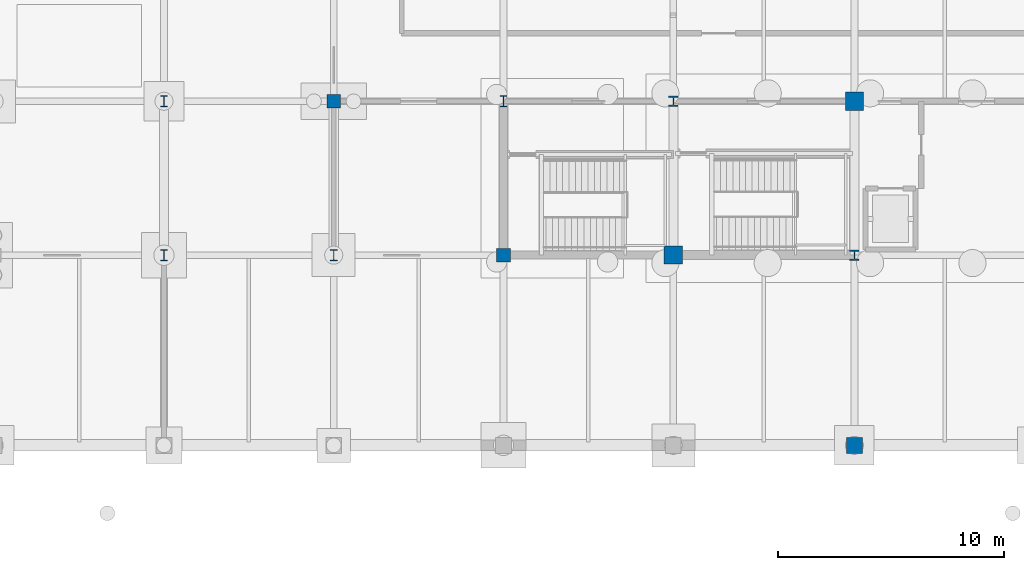
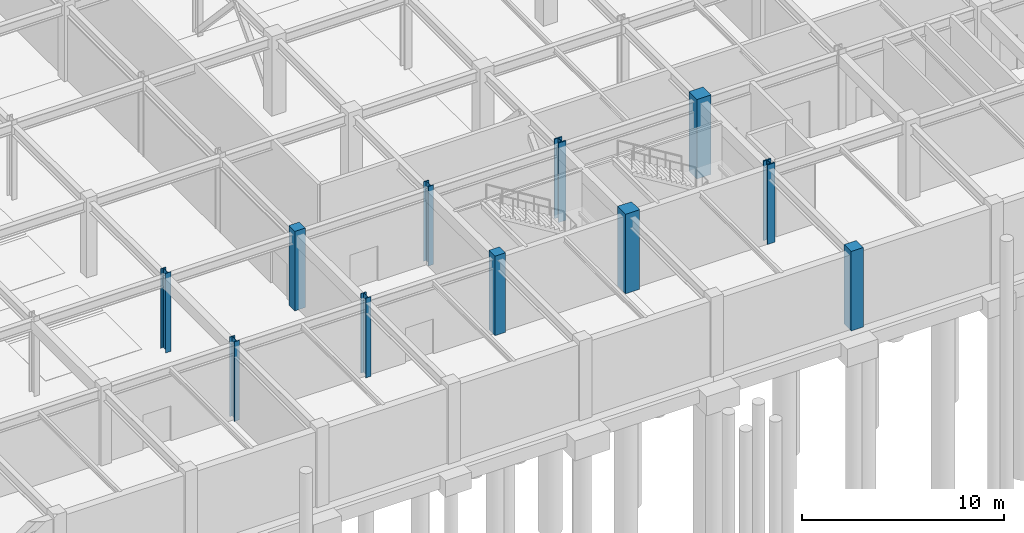
# One storey, part 10 of 53: 11 columns.
"""IFC4 building model written with IfcOpenShell, lengths in metres."""

from ifc_helpers import new_model, si_unit, direction, frame, origin, origin_2d, place, context, subcontext, project, spatial, rectangle, i_section, extrude, material, material_profile, profile_set, type_object, element, save


model = new_model("IFC4")

# Units and contexts
model_context = context("Model", 3, precision=1e-05, world=origin(), true_north=direction((0.0, 1.0)))
body_context = subcontext(model_context, "Body", "Model", "MODEL_VIEW")
ifc_project = project(units=[si_unit("LENGTHUNIT", "METRE"), si_unit("AREAUNIT", "SQUARE_METRE"), si_unit("VOLUMEUNIT", "CUBIC_METRE"), si_unit("PLANEANGLEUNIT", "RADIAN"), si_unit("MASSUNIT", "GRAM", prefix="KILO")], contexts=[model_context])

# Site, building, storey
site_placement = place(None, origin())
site = spatial("IfcSite", under=ifc_project, at=site_placement, CompositionType="ELEMENT")
building_placement = place(site_placement, origin())
building = spatial("IfcBuilding", under=site, at=building_placement, Name="Shalkamar Park Central Library", CompositionType="ELEMENT")
storey_placement = place(building_placement, frame((0.0, 0.0, -4.800048828125)))
storey = spatial("IfcBuildingStorey", under=building, at=storey_placement, Name="B1", CompositionType="ELEMENT", Elevation=-4.800048828125)

# Columns
ifc_material_1 = material(Name="Concrete C40/50", Category="concrete")
ifc_material_profile_1 = material_profile(ifc_material_1, rectangle(XDim=0.60009765625, YDim=0.60009765625, at=origin_2d()), Name="RC 600x600")
ifc_profile_set_1 = profile_set([ifc_material_profile_1], Name="Concrete C40/50")
column_type_1 = type_object("IfcColumnType", Name="Column Concrete RC600", PredefinedType="COLUMN", material=ifc_profile_set_1)
for number, where, z_axis, x_axis, name in (
    (1, (150.0, 255.199951171875, 0.0), (0.0, 0.0, 1.0), (1.0, 0.0, 0.0), "Column 05/C (B1)"),
    (2, (157.5, 248.39990234375, 0.0), (0.0, 0.0, 1.0), (1.0, 0.0, 0.0), "Column 06/B (B1)"),
):
    element("IfcColumn", number, at=place(storey_placement, frame(where, z_axis=z_axis, x_axis=x_axis)), inside=storey, type_object=column_type_1, Name=name, PredefinedType="COLUMN", context=body_context, shape_type="SweptSolid", body=[
        extrude(rectangle(XDim=0.60009765625, YDim=0.60009765625, at=origin_2d()), origin(), (0.0, 0.0, 1.0), 4.800048828125),
    ])
ifc_material_profile_2 = material_profile(ifc_material_1, rectangle(XDim=0.699951171875, YDim=0.699951171875, at=origin_2d()), Name="RC 700x700")
ifc_profile_set_2 = profile_set([ifc_material_profile_2], Name="Concrete C40/50")
column_type_2 = type_object("IfcColumnType", Name="Column Concrete RC700", PredefinedType="COLUMN", material=ifc_profile_set_2)
column_placement = place(storey_placement, frame((173.0, 240.0, 0.0), z_axis=(0.0, 0.0, 1.0), x_axis=(1.0, 0.0, 0.0)))
element("IfcColumn", 3, at=column_placement, inside=storey, type_object=column_type_2, Name="Column 08/A (B1)", PredefinedType="COLUMN", context=body_context, shape_type="SweptSolid", body=[
    extrude(rectangle(XDim=0.699951171875, YDim=0.699951171875, at=origin_2d()), origin(), (0.0, 0.0, 1.0), 4.800048828125),
])
ifc_material_profile_3 = material_profile(ifc_material_1, rectangle(XDim=0.800048828125, YDim=0.800048828125, at=origin_2d()), Name="RC 800x800")
ifc_profile_set_3 = profile_set([ifc_material_profile_3], Name="Concrete C40/50")
column_type_3 = type_object("IfcColumnType", Name="Column Concrete RC800", PredefinedType="COLUMN", material=ifc_profile_set_3)
for number, where, z_axis, x_axis, name in (
    (4, (165.0, 248.39990234375, 0.0), (0.0, 0.0, 1.0), (1.0, 0.0, 0.0), "Column 07/B (B1)"),
    (5, (173.0, 255.199951171875, 0.0), (0.0, 0.0, 1.0), (1.0, 0.0, 0.0), "Column 08/C (B1)"),
):
    element("IfcColumn", number, at=place(storey_placement, frame(where, z_axis=z_axis, x_axis=x_axis)), inside=storey, type_object=column_type_3, Name=name, PredefinedType="COLUMN", context=body_context, shape_type="SweptSolid", body=[
        extrude(rectangle(XDim=0.800048828125, YDim=0.800048828125, at=origin_2d()), origin(), (0.0, 0.0, 1.0), 4.800048828125),
    ])
ifc_material_2 = material(Name="Steel S355", Category="steel")
ifc_material_profile_4 = material_profile(ifc_material_2, i_section(OverallWidth=0.41796875, OverallDepth=0.455078125, WebThickness=0.0419921875, FlangeThickness=0.067626953125, FilletRadius=0.014892578125, at=origin_2d()), Name="HD 400x551")
ifc_profile_set_4 = profile_set([ifc_material_profile_4], Name="Steel S355")
column_type_4 = type_object("IfcColumnType", Name="Column Steel HD400x551", PredefinedType="COLUMN", material=ifc_profile_set_4)
for number, where, z_axis, x_axis, name in (
    (6, (165.0, 255.199951171875, 0.0), (0.0, 0.0, 1.0), (1.0, 0.0, 0.0), "Column 07/C (B1)"),
    (7, (173.0, 248.39990234375, 0.0), (0.0, 0.0, 1.0), (1.0, 0.0, 0.0), "Column 08/B (B1)"),
):
    element("IfcColumn", number, at=place(storey_placement, frame(where, z_axis=z_axis, x_axis=x_axis)), inside=storey, type_object=column_type_4, Name=name, PredefinedType="COLUMN", context=body_context, shape_type="SweptSolid", body=[
        extrude(i_section(OverallWidth=0.41796875, OverallDepth=0.455078125, WebThickness=0.0419921875, FlangeThickness=0.067626953125, FilletRadius=0.014892578125, at=origin_2d()), origin(), (0.0, 0.0, 1.0), 4.800048828125),
    ])
ifc_material_profile_5 = material_profile(ifc_material_2, i_section(OverallWidth=0.300048828125, OverallDepth=0.5, WebThickness=0.014404296875, FlangeThickness=0.028076171875, FilletRadius=0.027099609375, at=origin_2d()), Name="HEB 500")
ifc_profile_set_5 = profile_set([ifc_material_profile_5], Name="Steel S355")
column_type_5 = type_object("IfcColumnType", Name="Column Steel HEB500", PredefinedType="COLUMN", material=ifc_profile_set_5)
for number, where, z_axis, x_axis, name in (
    (8, (142.5, 248.39990234375, 0.0), (0.0, 0.0, 1.0), (1.0, 0.0, 0.0), "Column 04/B (B1)"),
    (9, (142.5, 255.199951171875, 0.0), (0.0, 0.0, 1.0), (1.0, 0.0, 0.0), "Column 04/C (B1)"),
    (10, (150.0, 248.39990234375, 0.0), (0.0, 0.0, 1.0), (1.0, 0.0, 0.0), "Column 05/B (B1)"),
    (11, (157.5, 255.199951171875, 0.0), (0.0, 0.0, 1.0), (1.0, 0.0, 0.0), "Column 06/C (B1)"),
):
    element("IfcColumn", number, at=place(storey_placement, frame(where, z_axis=z_axis, x_axis=x_axis)), inside=storey, type_object=column_type_5, Name=name, PredefinedType="COLUMN", context=body_context, shape_type="SweptSolid", body=[
        extrude(i_section(OverallWidth=0.300048828125, OverallDepth=0.5, WebThickness=0.014404296875, FlangeThickness=0.028076171875, FilletRadius=0.027099609375, at=origin_2d()), origin(), (0.0, 0.0, 1.0), 4.800048828125),
    ])

save(model, "model.ifc")
